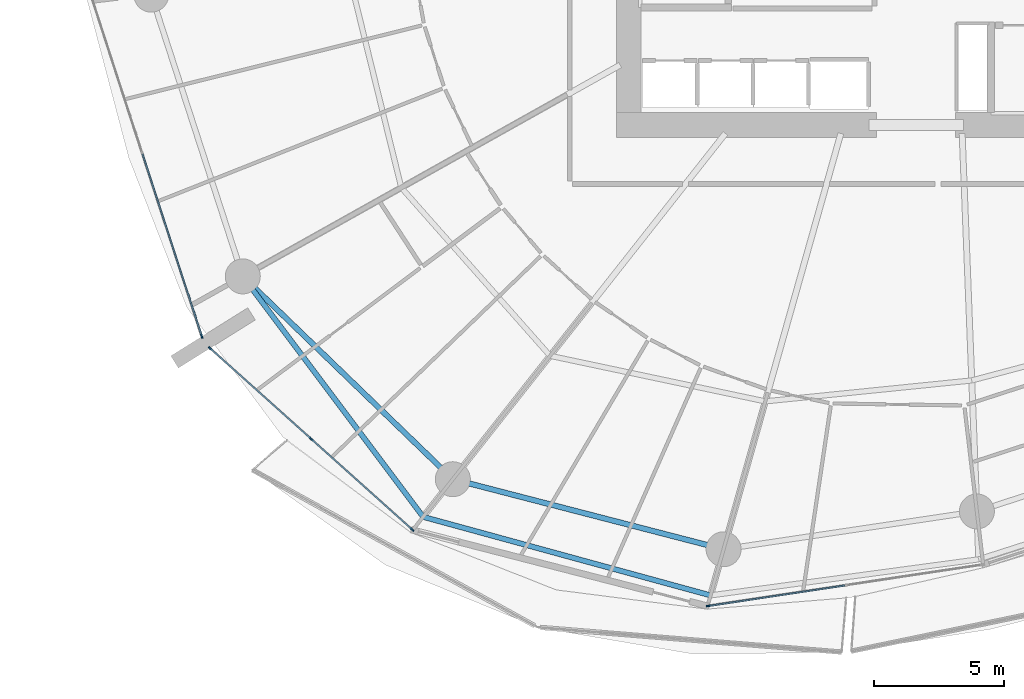
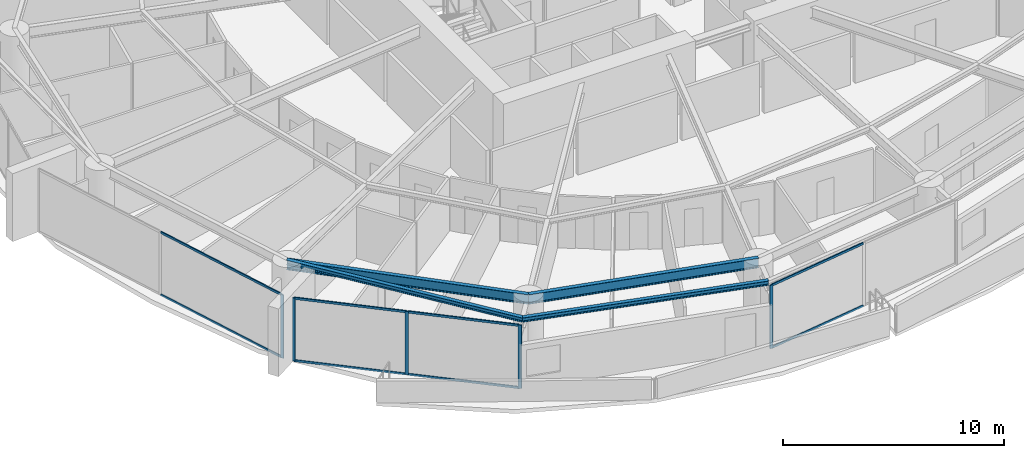
# One storey, part 6 of 31: 13 members, 4 beams, 3 elements without a shape of their own.
"""IFC4 building model written with IfcOpenShell, lengths in metres."""

from ifc_helpers import new_model, si_unit, direction, frame, origin, origin_2d, place, context, subcontext, project, spatial, rectangle, i_section, extrude, material, layer, layer_set, material_profile, profile_set, type_object, element, aggregate, save


model = new_model("IFC4")

# Units and contexts
model_context = context("Model", 3, precision=1e-05, world=origin(), true_north=direction((0.0, 1.0)))
body_context = subcontext(model_context, "Body", "Model", "MODEL_VIEW")
ifc_project = project(units=[si_unit("LENGTHUNIT", "METRE"), si_unit("AREAUNIT", "SQUARE_METRE"), si_unit("VOLUMEUNIT", "CUBIC_METRE"), si_unit("PLANEANGLEUNIT", "RADIAN"), si_unit("MASSUNIT", "GRAM", prefix="KILO")], contexts=[model_context])

# Site, building, storey
site_placement = place(None, origin())
site = spatial("IfcSite", under=ifc_project, at=site_placement, CompositionType="ELEMENT")
building_placement = place(site_placement, origin())
building = spatial("IfcBuilding", under=site, at=building_placement, Name="Kazma Halo Residences", CompositionType="ELEMENT")
storey_placement = place(building_placement, frame((0.0, 0.0, 41.39990234375)))
storey = spatial("IfcBuildingStorey", under=building, at=storey_placement, Name="L09", CompositionType="ELEMENT", Elevation=41.39990234375)

# Beams
ifc_material_1 = material(Name="Steel S355", Category="steel")
ifc_material_profile_1 = material_profile(ifc_material_1, i_section(OverallWidth=0.201904296875, OverallDepth=0.2470703125, WebThickness=0.00732421875, FlangeThickness=0.010986328125, FilletRadius=0.011962890625, at=origin_2d()), Name="W250x49.1")
ifc_profile_set_1 = profile_set([ifc_material_profile_1], Name="Steel S355")
beam_type_1 = type_object("IfcBeamType", Name="BM-BAL-CANT", PredefinedType="BEAM", material=ifc_profile_set_1)
beam_1_placement = place(storey_placement, frame((22.43505859375, 27.682861328125, 3.376708984375), z_axis=(0.600026935007, -0.799979798037, 0.0), x_axis=(0.799979798037, 0.600026935007, 0.0)))
element("IfcBeam", 1, at=beam_1_placement, inside=storey, type_object=beam_type_1, Name="L09 wave-balcony lead tie beam 09", PredefinedType="BEAM", context=body_context, shape_type="SweptSolid", body=[
    extrude(i_section(OverallWidth=0.201904296875, OverallDepth=0.2470703125, WebThickness=0.00732421875, FlangeThickness=0.010986328125, FilletRadius=0.011962890625, at=origin_2d()), origin(), (0.0, 0.0, 1.0), 11.601806640625),
])
beam_2_placement = place(storey_placement, frame((29.396484375, 18.401611328125, 3.376708984375), z_axis=(0.964628474934, -0.263613173697, 0.0), x_axis=(0.263613173697, 0.964628474934, 0.0)))
element("IfcBeam", 2, at=beam_2_placement, inside=storey, type_object=beam_type_1, Name="L09 wave-balcony tie beam 10", PredefinedType="BEAM", context=body_context, shape_type="SweptSolid", body=[
    extrude(i_section(OverallWidth=0.201904296875, OverallDepth=0.2470703125, WebThickness=0.00732421875, FlangeThickness=0.010986328125, FilletRadius=0.011962890625, at=origin_2d()), origin(), (0.0, 0.0, 1.0), 11.499755859375),
])
ifc_material_profile_2 = material_profile(ifc_material_1, i_section(OverallWidth=0.208984375, OverallDepth=0.532958984375, WebThickness=0.01025390625, FlangeThickness=0.015625, FilletRadius=0.01611328125, at=origin_2d()), Name="W530x92")
ifc_profile_set_2 = profile_set([ifc_material_profile_2], Name="Steel S355")
beam_type_2 = type_object("IfcBeamType", Name="BM-SPN-W530", PredefinedType="BEAM", material=ifc_profile_set_2)
beam_3_placement = place(storey_placement, frame((22.43505859375, 27.682861328125, 3.233642578125), z_axis=(0.719336506967, -0.694661780829, 0.0), x_axis=(0.694661780829, 0.719336506967, 0.0)))
element("IfcBeam", 3, at=beam_3_placement, inside=storey, type_object=beam_type_2, Name="L09 perimeter ring beam 09", PredefinedType="BEAM", context=body_context, shape_type="SweptSolid", body=[
    extrude(i_section(OverallWidth=0.208984375, OverallDepth=0.532958984375, WebThickness=0.01025390625, FlangeThickness=0.015625, FilletRadius=0.01611328125, at=origin_2d()), origin(), (0.0, 0.0, 1.0), 11.269775390625),
])
beam_4_placement = place(storey_placement, frame((30.541748046875, 19.854248046875, 3.233642578125), z_axis=(0.968123558238, -0.250473104313, 0.0), x_axis=(0.250473104313, 0.968123558238, 0.0)))
element("IfcBeam", 4, at=beam_4_placement, inside=storey, type_object=beam_type_2, Name="L09 perimeter ring beam 10", PredefinedType="BEAM", context=body_context, shape_type="SweptSolid", body=[
    extrude(i_section(OverallWidth=0.208984375, OverallDepth=0.532958984375, WebThickness=0.01025390625, FlangeThickness=0.015625, FilletRadius=0.01611328125, at=origin_2d()), origin(), (0.0, 0.0, 1.0), 10.7939453125),
])

# Curtain wall, member
ifc_material_2 = material(Name="Aluminium AW-6063 T6 and Triple-Silver Low-E Glass", Category="aluminium")
ifc_layer = layer(ifc_material_2, 0.159912109375)
ifc_layer_set = layer_set([ifc_layer], Name="Aluminium AW-6063 T6 and Triple-Silver Low-E Glass")
curtain_wall_type = type_object("IfcCurtainWallType", Name="CW-SYS-2", PredefinedType="NOTDEFINED", material=ifc_layer_set)
curtain_wall_1_placement = place(storey_placement, origin())
curtain_wall_1 = element("IfcCurtainWall", 5, at=curtain_wall_1_placement, inside=storey, type_object=curtain_wall_type, Name="L09 unitised curtain wall B08", PredefinedType="NOTDEFINED")
ifc_material_3 = material(Name="Aluminium AW-6063 T6", Category="aluminium")
ifc_material_profile_3 = material_profile(ifc_material_3, rectangle(XDim=0.06005859375, YDim=0.159912109375, at=origin_2d()), Name="CWM-60x160")
ifc_profile_set_3 = profile_set([ifc_material_profile_3], Name="Aluminium AW-6063 T6")
member_type_1 = type_object("IfcMemberType", Name="CW-SYS-2-MUL", PredefinedType="MULLION", material=ifc_profile_set_3)
member_1_placement = place(storey_placement, frame((20.854248046875, 25.36669921875, 0.0), z_axis=(0.0, 0.0, 1.0), x_axis=(0.95105652404, 0.309016970539, 0.0)))
member_1 = element("IfcMember", 6, at=member_1_placement, type_object=member_type_1, Name="CWS-2 mullion 3", PredefinedType="MULLION", context=body_context, shape_type="SweptSolid", body=[
    extrude(rectangle(XDim=0.06005859375, YDim=0.159912109375, at=origin_2d()), origin(), (0.0, 0.0, 1.0), 3.5),
])

# Curtain wall, members
curtain_wall_2_placement = place(storey_placement, origin())
curtain_wall_2 = element("IfcCurtainWall", 7, at=curtain_wall_2_placement, inside=storey, type_object=curtain_wall_type, Name="L09 unitised curtain wall B09", PredefinedType="NOTDEFINED")
member_2_placement = place(storey_placement, frame((21.17333984375, 24.908203125, 0.0), z_axis=(0.0, 0.0, 1.0), x_axis=(0.667821453854, 0.744321506993, 0.0)))
member_2 = element("IfcMember", 8, at=member_2_placement, type_object=member_type_1, Name="CWS-2 mullion 1", PredefinedType="MULLION", context=body_context, shape_type="SweptSolid", body=[
    extrude(rectangle(XDim=0.06005859375, YDim=0.159912109375, at=origin_2d()), origin(), (0.0, 0.0, 1.0), 3.5),
])
member_3_placement = place(storey_placement, frame((25.07275390625, 21.409912109375, 0.0), z_axis=(0.0, 0.0, 1.0), x_axis=(0.667821453854, 0.744321506993, 0.0)))
member_3 = element("IfcMember", 9, at=member_3_placement, type_object=member_type_1, Name="CWS-2 mullion 2", PredefinedType="MULLION", context=body_context, shape_type="SweptSolid", body=[
    extrude(rectangle(XDim=0.06005859375, YDim=0.159912109375, at=origin_2d()), origin(), (0.0, 0.0, 1.0), 3.5),
])
member_4_placement = place(storey_placement, frame((28.971923828125, 17.911376953125, 0.0), z_axis=(0.0, 0.0, 1.0), x_axis=(0.667821453854, 0.744321506993, 0.0)))
member_4 = element("IfcMember", 10, at=member_4_placement, type_object=member_type_1, Name="CWS-2 mullion 3", PredefinedType="MULLION", context=body_context, shape_type="SweptSolid", body=[
    extrude(rectangle(XDim=0.06005859375, YDim=0.159912109375, at=origin_2d()), origin(), (0.0, 0.0, 1.0), 3.5),
])

# Curtain wall, member
curtain_wall_3_placement = place(storey_placement, origin())
curtain_wall_3 = element("IfcCurtainWall", 11, at=curtain_wall_3_placement, inside=storey, type_object=curtain_wall_type, Name="L09 unitised curtain wall B11", PredefinedType="NOTDEFINED")
member_5_placement = place(storey_placement, frame((40.403076171875, 14.962158203125, 0.0), z_axis=(0.0, 0.0, 1.0), x_axis=(-0.148657272805, 0.988888777994, 0.0)))
member_5 = element("IfcMember", 12, at=member_5_placement, type_object=member_type_1, Name="CWS-2 mullion 1", PredefinedType="MULLION", context=body_context, shape_type="SweptSolid", body=[
    extrude(rectangle(XDim=0.06005859375, YDim=0.159912109375, at=origin_2d()), origin(), (0.0, 0.0, 1.0), 3.5),
])

# Member
ifc_material_profile_4 = material_profile(ifc_material_3, rectangle(XDim=0.06005859375, YDim=0.1201171875, at=origin_2d()), Name="CWT-60x120")
ifc_profile_set_4 = profile_set([ifc_material_profile_4], Name="Aluminium AW-6063 T6")
member_type_2 = type_object("IfcMemberType", Name="CW-SYS-2-TRN", PredefinedType="USERDEFINED", material=ifc_profile_set_4)
member_6_placement = place(storey_placement, frame((18.5673828125, 32.4052734375, 0.030029296875), z_axis=(0.309004433966, -0.951060597328, 0.0), x_axis=(0.951060597328, 0.309004433966, 0.0)))
member_6 = element("IfcMember", 13, at=member_6_placement, type_object=member_type_2, Name="CWS-2 transom 2.1", ObjectType="TRANSOM", PredefinedType="USERDEFINED", context=body_context, shape_type="SweptSolid", body=[
    extrude(rectangle(XDim=0.06005859375, YDim=0.1201171875, at=origin_2d()), origin(), (0.0, 0.0, 1.0), 7.370849609375),
])

member_7_placement = place(storey_placement, frame((18.5673828125, 32.4052734375, 3.47021484375), z_axis=(0.309004433966, -0.951060597328, 0.0), x_axis=(0.951060597328, 0.309004433966, 0.0)))
member_7 = element("IfcMember", 14, at=member_7_placement, type_object=member_type_2, Name="CWS-2 transom 2.2", ObjectType="TRANSOM", PredefinedType="USERDEFINED", context=body_context, shape_type="SweptSolid", body=[
    extrude(rectangle(XDim=0.06005859375, YDim=0.1201171875, at=origin_2d()), origin(), (0.0, 0.0, 1.0), 7.370849609375),
])

aggregate(curtain_wall_1, [member_1, member_6, member_7])

member_8_placement = place(storey_placement, frame((21.19580078125, 24.88818359375, 0.030029296875), z_axis=(0.744329408538, -0.66781264707, 0.0), x_axis=(0.66781264707, 0.744329408538, 0.0)))
member_8 = element("IfcMember", 15, at=member_8_placement, type_object=member_type_2, Name="CWS-2 transom 1.1", ObjectType="TRANSOM", PredefinedType="USERDEFINED", context=body_context, shape_type="SweptSolid", body=[
    extrude(rectangle(XDim=0.06005859375, YDim=0.1201171875, at=origin_2d()), origin(), (0.0, 0.0, 1.0), 5.178466796875),
])

member_9_placement = place(storey_placement, frame((21.19580078125, 24.88818359375, 3.47021484375), z_axis=(0.744329408538, -0.66781264707, 0.0), x_axis=(0.66781264707, 0.744329408538, 0.0)))
member_9 = element("IfcMember", 16, at=member_9_placement, type_object=member_type_2, Name="CWS-2 transom 1.2", ObjectType="TRANSOM", PredefinedType="USERDEFINED", context=body_context, shape_type="SweptSolid", body=[
    extrude(rectangle(XDim=0.06005859375, YDim=0.1201171875, at=origin_2d()), origin(), (0.0, 0.0, 1.0), 5.178466796875),
])

member_10_placement = place(storey_placement, frame((25.094970703125, 21.3896484375, 0.030029296875), z_axis=(0.744329408538, -0.66781264707, 0.0), x_axis=(0.66781264707, 0.744329408538, 0.0)))
member_10 = element("IfcMember", 17, at=member_10_placement, type_object=member_type_2, Name="CWS-2 transom 2.1", ObjectType="TRANSOM", PredefinedType="USERDEFINED", context=body_context, shape_type="SweptSolid", body=[
    extrude(rectangle(XDim=0.06005859375, YDim=0.1201171875, at=origin_2d()), origin(), (0.0, 0.0, 1.0), 5.178466796875),
])

member_11_placement = place(storey_placement, frame((25.094970703125, 21.3896484375, 3.47021484375), z_axis=(0.744329408538, -0.66781264707, 0.0), x_axis=(0.66781264707, 0.744329408538, 0.0)))
member_11 = element("IfcMember", 18, at=member_11_placement, type_object=member_type_2, Name="CWS-2 transom 2.2", ObjectType="TRANSOM", PredefinedType="USERDEFINED", context=body_context, shape_type="SweptSolid", body=[
    extrude(rectangle(XDim=0.06005859375, YDim=0.1201171875, at=origin_2d()), origin(), (0.0, 0.0, 1.0), 5.178466796875),
])

aggregate(curtain_wall_2, [member_2, member_3, member_4, member_8, member_9, member_10, member_11])

member_12_placement = place(storey_placement, frame((40.4326171875, 14.966796875, 0.030029296875), z_axis=(0.988890934274, 0.148642928222, 0.0), x_axis=(-0.148642928222, 0.988890934274, 0.0)))
member_12 = element("IfcMember", 19, at=member_12_placement, type_object=member_type_2, Name="CWS-2 transom 1.1", ObjectType="TRANSOM", PredefinedType="USERDEFINED", context=body_context, shape_type="SweptSolid", body=[
    extrude(rectangle(XDim=0.06005859375, YDim=0.1201171875, at=origin_2d()), origin(), (0.0, 0.0, 1.0), 5.288818359375),
])

member_13_placement = place(storey_placement, frame((40.4326171875, 14.966796875, 3.47021484375), z_axis=(0.988890934274, 0.148642928222, 0.0), x_axis=(-0.148642928222, 0.988890934274, 0.0)))
member_13 = element("IfcMember", 20, at=member_13_placement, type_object=member_type_2, Name="CWS-2 transom 1.2", ObjectType="TRANSOM", PredefinedType="USERDEFINED", context=body_context, shape_type="SweptSolid", body=[
    extrude(rectangle(XDim=0.06005859375, YDim=0.1201171875, at=origin_2d()), origin(), (0.0, 0.0, 1.0), 5.288818359375),
])

aggregate(curtain_wall_3, [member_5, member_12, member_13])

save(model, "model.ifc")
